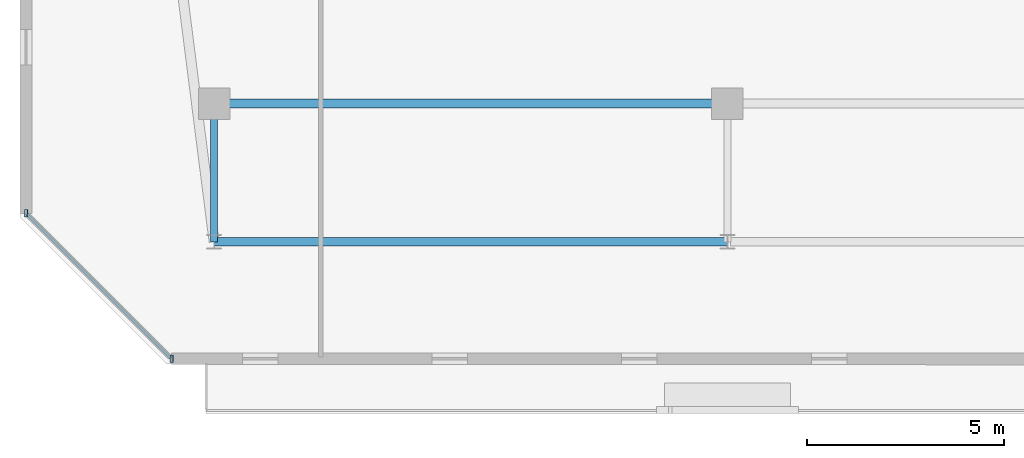
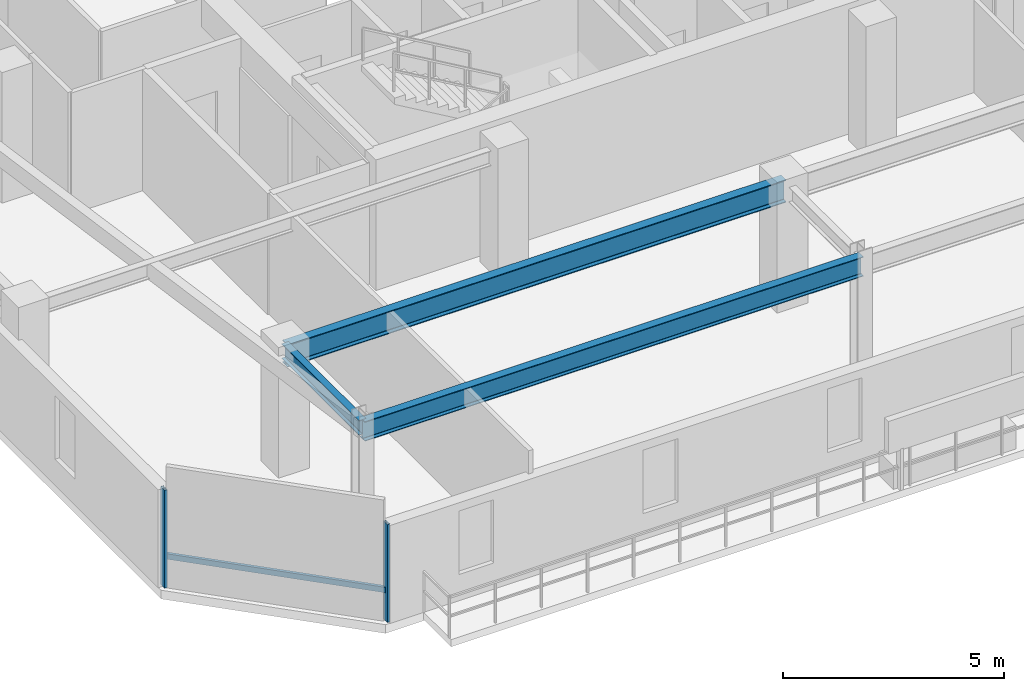
# One storey, part 5 of 34: 3 beams, 3 members, 1 element without a shape of its own.
"""IFC4 building model written with IfcOpenShell, lengths in metres."""

import ifcopenshell
import ifcopenshell.guid

model = None  # the IFC model being written
_history = None  # IfcOwnerHistory: only IFC2X3 demands one
_inside = {}  # id of a spatial element -> (the spatial element, [elements in it])
_under = {}  # id of a project, library or spatial element -> (it, [spatial elements below it])
_declared = {}  # id of a project -> (the project, [libraries it declares])
_typed = {}  # id of a type object -> (the type object, [elements of that type])
_made_of = {}  # id of a material, layer set ... -> (it, [elements and type objects made of it])


def new_model(schema):
    """Start an empty IFC model of exactly this schema.

    Asked for "IFC4X3", IfcOpenShell would pick the latest addendum, in which some entities
    have other attributes; the version numbers below select the first issue.
    IFC2X3 requires an IfcOwnerHistory on every rooted entity: one is made here for all.
    """
    global model, _history
    if schema == "IFC4X3":
        model = ifcopenshell.file(schema_version=(4, 3, 0, 0))
    else:
        model = ifcopenshell.file(schema=schema)
    _inside.clear()
    _under.clear()
    _declared.clear()
    _typed.clear()
    _made_of.clear()
    _history = None
    if model.schema == "IFC2X3":
        org = make("IfcOrganization", Name="unknown")
        user = make(
            "IfcPersonAndOrganization",
            ThePerson=make("IfcPerson", FamilyName="unknown"),
            TheOrganization=org,
        )
        app = make(
            "IfcApplication",
            ApplicationDeveloper=org,
            Version="unknown",
            ApplicationFullName="unknown",
            ApplicationIdentifier="unknown",
        )
        _history = make(
            "IfcOwnerHistory",
            OwningUser=user,
            OwningApplication=app,
            ChangeAction="ADDED",
            CreationDate=0,
        )
    return model


def make(cls, **values):
    """One entity of the class cls with the attributes given. An attribute that is None is left unset."""
    return model.create_entity(
        cls, **{name: value for name, value in values.items() if value is not None}
    )


def rooted(cls, **values):
    """An entity with a GlobalId (a new one), such as an element, a storey or a relation."""
    return make(cls, GlobalId=ifcopenshell.guid.new(), OwnerHistory=_history, **values)


def si_unit(unit_type, name, prefix=None):
    """IfcSIUnit, for example si_unit("LENGTHUNIT", "METRE", prefix="MILLI")."""
    return make("IfcSIUnit", UnitType=unit_type, Prefix=prefix, Name=name)


def assignment(units):
    """IfcUnitAssignment: the units of a project."""
    return None if units is None else make("IfcUnitAssignment", Units=units)


def point(xyz):
    """IfcCartesianPoint."""
    return None if xyz is None else make("IfcCartesianPoint", Coordinates=xyz)


def direction(xyz):
    """IfcDirection."""
    return None if xyz is None else make("IfcDirection", DirectionRatios=xyz)


def frame(location, z_axis=None, x_axis=None):
    """IfcAxis2Placement3D, a coordinate frame: its origin and axes. An axis left out is left unset."""
    return make(
        "IfcAxis2Placement3D",
        Location=point(location),
        Axis=direction(z_axis),
        RefDirection=direction(x_axis),
    )


def frame_2d(location, x_axis=None):
    """IfcAxis2Placement2D, a coordinate frame in the plane: its origin and x axis."""
    return make(
        "IfcAxis2Placement2D", Location=point(location), RefDirection=direction(x_axis)
    )


def origin():
    """The frame at (0, 0, 0) with its axes left unset."""
    return frame((0.0, 0.0, 0.0))


def origin_2d():
    """The frame at (0, 0) in the plane with its x axis left unset."""
    return frame_2d((0.0, 0.0))


def place(relative_to, where):
    """IfcLocalPlacement: puts the frame where relative to a parent placement (None: the world)."""
    return make(
        "IfcLocalPlacement", PlacementRelTo=relative_to, RelativePlacement=where
    )


def context(
    kind, dimensions, precision=None, world=None, true_north=None, identifier=None
):
    """IfcGeometricRepresentationContext, for example the 3D "Model" context."""
    return make(
        "IfcGeometricRepresentationContext",
        ContextIdentifier=identifier,
        ContextType=kind,
        CoordinateSpaceDimension=dimensions,
        Precision=precision,
        WorldCoordinateSystem=world,
        TrueNorth=true_north,
    )


def subcontext(parent, identifier, kind, view, scale=None):
    """IfcGeometricRepresentationSubContext, for example "Body" below "Model"."""
    return make(
        "IfcGeometricRepresentationSubContext",
        ContextIdentifier=identifier,
        ContextType=kind,
        ParentContext=parent,
        TargetScale=scale,
        TargetView=view,
    )


def project(units=None, contexts=None):
    """IfcProject with its units and contexts."""
    return rooted(
        "IfcProject",
        Name="project",
        RepresentationContexts=contexts,
        UnitsInContext=assignment(units),
    )


def spatial(cls, under=None, at=None, **own):
    """A site, building, storey or space (cls), placed at a placement, below another one or the project."""
    s = rooted(cls, ObjectPlacement=at, **own)
    if under is not None:
        _under.setdefault(under.id(), (under, []))[1].append(s)
    return s


def profile(cls, at=None, kind="AREA", **sizes):
    """A parametric profile (cls). Its sizes go by their IFC names, for example OverallWidth=200.0."""
    return make(cls, ProfileType=kind, Position=at, **sizes)


def hollow_rectangle(**sizes):
    """IfcRectangleHollowProfileDef."""
    return profile("IfcRectangleHollowProfileDef", **sizes)


def i_section(**sizes):
    """IfcIShapeProfileDef."""
    return profile("IfcIShapeProfileDef", **sizes)


def extrude(swept, where, along, depth):
    """IfcExtrudedAreaSolid: the profile swept, set in the frame where, extruded along a direction by depth."""
    return make(
        "IfcExtrudedAreaSolid",
        SweptArea=swept,
        Position=where,
        ExtrudedDirection=direction(along),
        Depth=depth,
    )


def shape(context_of_items, identifier, shape_type, items):
    """IfcShapeRepresentation: the items that make up one representation, for example the "Body"."""
    return make(
        "IfcShapeRepresentation",
        ContextOfItems=context_of_items,
        RepresentationIdentifier=identifier,
        RepresentationType=shape_type,
        Items=items,
    )


def material(Name=None, Category=None):
    """IfcMaterial."""
    return make("IfcMaterial", Name=Name, Category=Category)


def material_profile(
    of_material, cross_section, Name=None, Category=None, Priority=None
):
    """IfcMaterialProfile: a cross section and its material."""
    return make(
        "IfcMaterialProfile",
        Name=Name,
        Material=of_material,
        Profile=cross_section,
        Priority=Priority,
        Category=Category,
    )


def profile_set(profiles, Name=None, composite=None):
    """IfcMaterialProfileSet."""
    return make(
        "IfcMaterialProfileSet",
        Name=Name,
        MaterialProfiles=profiles,
        CompositeProfile=composite,
    )


def made_of(thing, what):
    """Note that an element or type object is made of a material, layer set ...; save() writes the relation."""
    if what is not None:
        _made_of.setdefault(what.id(), (what, []))[1].append(thing)
    return thing


def type_object(cls, material=None, **own):
    """A type object (cls), such as IfcWallType, which elements share."""
    return made_of(rooted(cls, **own), material)


def element(
    cls,
    number,
    at=None,
    inside=None,
    cuts=None,
    type_object=None,
    material=None,
    context=None,
    identifier="Body",
    shape_type=None,
    held_by="IfcProductDefinitionShape",
    body=None,
    shapes=None,
    **own,
):
    """One element of the class cls, such as IfcWall. Its Tag is "e" and its number.

    at: its placement. inside: the storey or other place that contains it. cuts: it is an
    opening in that element (IfcRelVoidsElement). A single representation is given by context,
    identifier, shape_type and body (its items); several are given by shapes. held_by: the class
    of the entity that holds the representations. save() writes the other relations.
    """
    e = rooted(cls, Tag="e%d" % number, ObjectPlacement=at, **own)
    if body is not None:
        shapes = [shape(context, identifier, shape_type, body)]
    if shapes is not None:
        e.Representation = make(held_by, Representations=shapes)
    if inside is not None:
        _inside.setdefault(inside.id(), (inside, []))[1].append(e)
    if cuts is not None:
        rooted(
            "IfcRelVoidsElement", RelatingBuildingElement=cuts, RelatedOpeningElement=e
        )
    if type_object is not None:
        _typed.setdefault(type_object.id(), (type_object, []))[1].append(e)
    return made_of(e, material)


def aggregate(whole, parts):
    """IfcRelAggregates: a whole, such as a stair, and the parts it consists of."""
    return rooted("IfcRelAggregates", RelatingObject=whole, RelatedObjects=parts)


def save(model, path):
    """Write the relations noted so far, then the file.

    IfcRelAggregates (storeys below a building ...), IfcRelContainedInSpatialStructure (elements
    in a storey), IfcRelDefinesByType, IfcRelAssociatesMaterial and IfcRelDeclares: one each for
    every whole, place, type object, material and project.
    """
    for whole, parts in _under.values():
        aggregate(whole, parts)
    for where, things in _inside.values():
        rooted(
            "IfcRelContainedInSpatialStructure",
            RelatedElements=things,
            RelatingStructure=where,
        )
    for kind, things in _typed.values():
        rooted("IfcRelDefinesByType", RelatedObjects=things, RelatingType=kind)
    for what, things in _made_of.values():
        rooted("IfcRelAssociatesMaterial", RelatedObjects=things, RelatingMaterial=what)
    for by, libraries in _declared.values():
        rooted("IfcRelDeclares", RelatingContext=by, RelatedDefinitions=libraries)
    model.write(path)


model = new_model("IFC4")

# Units and contexts
model_context = context("Model", 3, precision=1e-05, world=origin(), true_north=direction((0.0, 1.0)))
body_context = subcontext(model_context, "Body", "Model", "MODEL_VIEW")
ifc_project = project(units=[si_unit("LENGTHUNIT", "METRE"), si_unit("AREAUNIT", "SQUARE_METRE"), si_unit("VOLUMEUNIT", "CUBIC_METRE"), si_unit("PLANEANGLEUNIT", "RADIAN"), si_unit("MASSUNIT", "GRAM", prefix="KILO")], contexts=[model_context])

# Site, building, storey
site_placement = place(None, origin())
site = spatial("IfcSite", under=ifc_project, at=site_placement, CompositionType="ELEMENT")
building_placement = place(site_placement, origin())
building = spatial("IfcBuilding", under=site, at=building_placement, Name="Thornwick Lancets Civic Towers", CompositionType="ELEMENT")
storey_placement = place(building_placement, frame((0.0, 0.0, 261.89990234375)))
storey = spatial("IfcBuildingStorey", under=building, at=storey_placement, Name="L70", CompositionType="ELEMENT", Elevation=261.89990234375)

# Beams
ifc_material_1 = material(Name="Steel S355JR", Category="steel")
ifc_material_profile_1 = material_profile(ifc_material_1, i_section(OverallWidth=0.210693359375, OverallDepth=0.53955078125, WebThickness=0.01171875, FlangeThickness=0.018798828125, FilletRadius=0.0126953125, at=origin_2d()), Name="UKB 533x210x109")
ifc_profile_set_1 = profile_set([ifc_material_profile_1], Name="Steel S355JR")
beam_type_1 = type_object("IfcBeamType", Name="BM_EDGE_533_109", PredefinedType="SPANDREL", material=ifc_profile_set_1)
beam_1_placement = place(storey_placement, frame((12.5, 6.199951171875, 3.09033203125), z_axis=(1.0, 0.0, 0.0), x_axis=(0.0, 1.0, 0.0)))
element("IfcBeam", 1, at=beam_1_placement, inside=storey, type_object=beam_type_1, Name="BM-EDGE-L70-A-S0-1", PredefinedType="SPANDREL", context=body_context, shape_type="SweptSolid", body=[
    extrude(i_section(OverallWidth=0.210693359375, OverallDepth=0.53955078125, WebThickness=0.01171875, FlangeThickness=0.018798828125, FilletRadius=0.0126953125, at=origin_2d()), origin(), (0.0, 0.0, 1.0), 13.0),
])
ifc_material_profile_2 = material_profile(ifc_material_1, i_section(OverallWidth=0.230224609375, OverallDepth=0.6171875, WebThickness=0.01318359375, FlangeThickness=0.022216796875, FilletRadius=0.0126953125, at=origin_2d()), Name="UKB 610x229x140")
ifc_profile_set_2 = profile_set([ifc_material_profile_2], Name="Steel S355JR")
beam_type_2 = type_object("IfcBeamType", Name="BM_GIRD_610_140", PredefinedType="BEAM", material=ifc_profile_set_2)
beam_2_placement = place(storey_placement, frame((12.5, 9.699951171875, 3.051513671875), z_axis=(1.0, 0.0, 0.0), x_axis=(0.0, 1.0, 0.0)))
element("IfcBeam", 2, at=beam_2_placement, inside=storey, type_object=beam_type_2, Name="BM-SPINE-L70-A-0-1", PredefinedType="BEAM", context=body_context, shape_type="SweptSolid", body=[
    extrude(i_section(OverallWidth=0.230224609375, OverallDepth=0.6171875, WebThickness=0.01318359375, FlangeThickness=0.022216796875, FilletRadius=0.0126953125, at=origin_2d()), origin(), (0.0, 0.0, 1.0), 13.0),
])
ifc_material_profile_3 = material_profile(ifc_material_1, i_section(OverallWidth=0.179443359375, OverallDepth=0.412841796875, WebThickness=0.009521484375, FlangeThickness=0.01611328125, FilletRadius=0.01025390625, at=origin_2d()), Name="UKB 406x178x74")
ifc_profile_set_3 = profile_set([ifc_material_profile_3], Name="Steel S355JR")
beam_type_3 = type_object("IfcBeamType", Name="BM_JOIST_406_74", PredefinedType="JOIST", material=ifc_profile_set_3)
beam_3_placement = place(storey_placement, frame((12.5, 9.699951171875, 3.15380859375), z_axis=(0.0, -1.0, 0.0), x_axis=(1.0, 0.0, 0.0)))
element("IfcBeam", 3, at=beam_3_placement, inside=storey, type_object=beam_type_3, Name="BM-RAD-L70-A01", PredefinedType="JOIST", context=body_context, shape_type="SweptSolid", body=[
    extrude(i_section(OverallWidth=0.179443359375, OverallDepth=0.412841796875, WebThickness=0.009521484375, FlangeThickness=0.01611328125, FilletRadius=0.01025390625, at=origin_2d()), origin(), (0.0, 0.0, 1.0), 3.5),
])

# Curtain wall, members
ifc_material_2 = material(Name="High-zone chamfered-corner unitised glass curtain wall", Category="glass")
curtain_wall_type = type_object("IfcCurtainWallType", Name="CW_SYS_05", PredefinedType="NOTDEFINED", material=ifc_material_2)
curtain_wall_placement = place(storey_placement, origin())
curtain_wall = element("IfcCurtainWall", 4, at=curtain_wall_placement, inside=storey, type_object=curtain_wall_type, Name="L70 Curtain Wall CW-L70-A-E7", PredefinedType="NOTDEFINED")
ifc_material_3 = material(Name="Thermally broken bronze aluminium S355", Category="steel")
ifc_material_profile_4 = material_profile(ifc_material_3, hollow_rectangle(XDim=0.074951171875, YDim=0.179931640625, WallThickness=0.006103515625, at=origin_2d()), Name="RHS 180x75x6")
ifc_profile_set_4 = profile_set([ifc_material_profile_4], Name="Thermally broken bronze aluminium S355")
member_type_1 = type_object("IfcMemberType", Name="CW_MUL_180", PredefinedType="MULLION", material=ifc_profile_set_4)
member_1_placement = place(storey_placement, frame((7.739013671875, 6.92236328125, 0.0), z_axis=(0.0, 0.0, 1.0), x_axis=(1.0, 0.0, 0.0)))
member_1 = element("IfcMember", 5, at=member_1_placement, type_object=member_type_1, Name="CW-L70-A-E7 Mullion 0", PredefinedType="MULLION", context=body_context, shape_type="SweptSolid", body=[
    extrude(hollow_rectangle(XDim=0.074951171875, YDim=0.179931640625, WallThickness=0.006103515625, at=origin_2d()), origin(), (0.0, 0.0, 1.0), 2.7001953125),
])
member_2_placement = place(storey_placement, frame((11.42236328125, 3.239013671875, 0.0), z_axis=(0.0, 0.0, 1.0), x_axis=(1.0, 0.0, 0.0)))
member_2 = element("IfcMember", 6, at=member_2_placement, type_object=member_type_1, Name="CW-L70-A-E7 Mullion 1", PredefinedType="MULLION", context=body_context, shape_type="SweptSolid", body=[
    extrude(hollow_rectangle(XDim=0.074951171875, YDim=0.179931640625, WallThickness=0.006103515625, at=origin_2d()), origin(), (0.0, 0.0, 1.0), 2.7001953125),
])
ifc_material_profile_5 = material_profile(ifc_material_3, hollow_rectangle(XDim=0.074951171875, YDim=0.14990234375, WallThickness=0.0048828125, at=origin_2d()), Name="RHS 150x75x5")
ifc_profile_set_5 = profile_set([ifc_material_profile_5], Name="Thermally broken bronze aluminium S355")
member_type_2 = type_object("IfcMemberType", Name="CW_TRN_150", PredefinedType="USERDEFINED", material=ifc_profile_set_5)
member_3_placement = place(storey_placement, frame((7.753173828125, 6.908203125, 0.85009765625), z_axis=(0.707106781187, -0.707106781187, 0.0), x_axis=(0.707106781187, 0.707106781187, 0.0)))
member_3 = element("IfcMember", 7, at=member_3_placement, type_object=member_type_2, Name="CW-L70-A-E7 Transom 0", ObjectType="TRANSOM", PredefinedType="USERDEFINED", context=body_context, shape_type="SweptSolid", body=[
    extrude(hollow_rectangle(XDim=0.074951171875, YDim=0.14990234375, WallThickness=0.0048828125, at=origin_2d()), origin(), (0.0, 0.0, 1.0), 5.1689453125),
])
aggregate(curtain_wall, [member_1, member_2, member_3])

save(model, "model.ifc")
